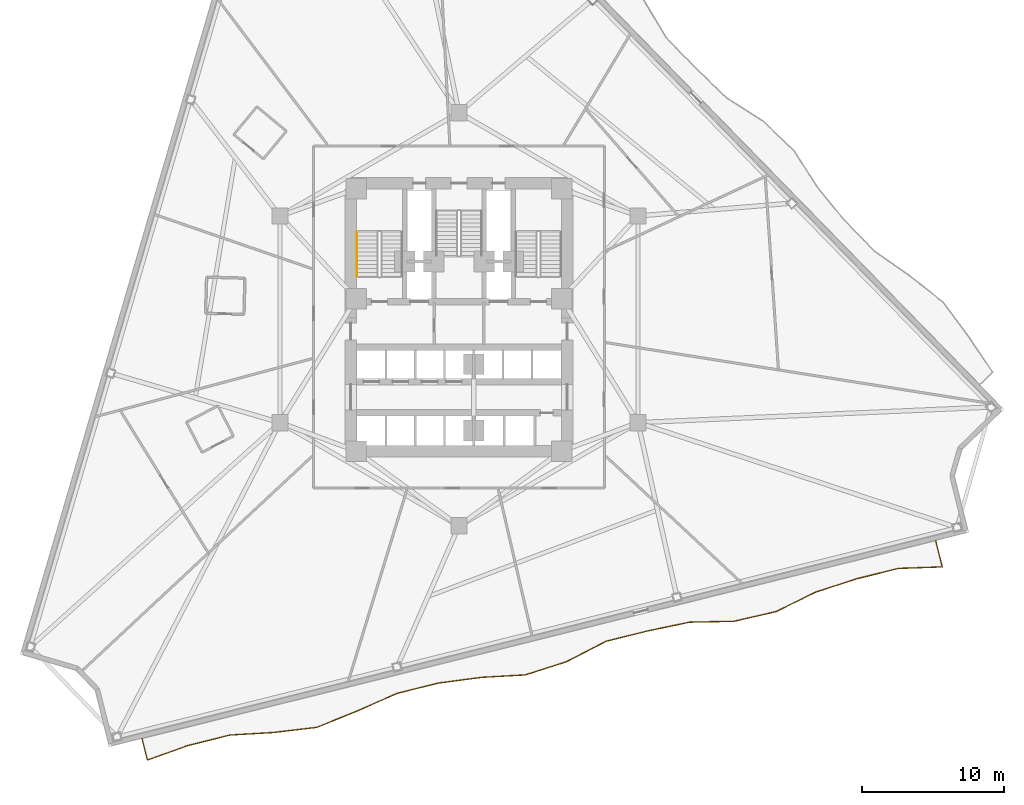
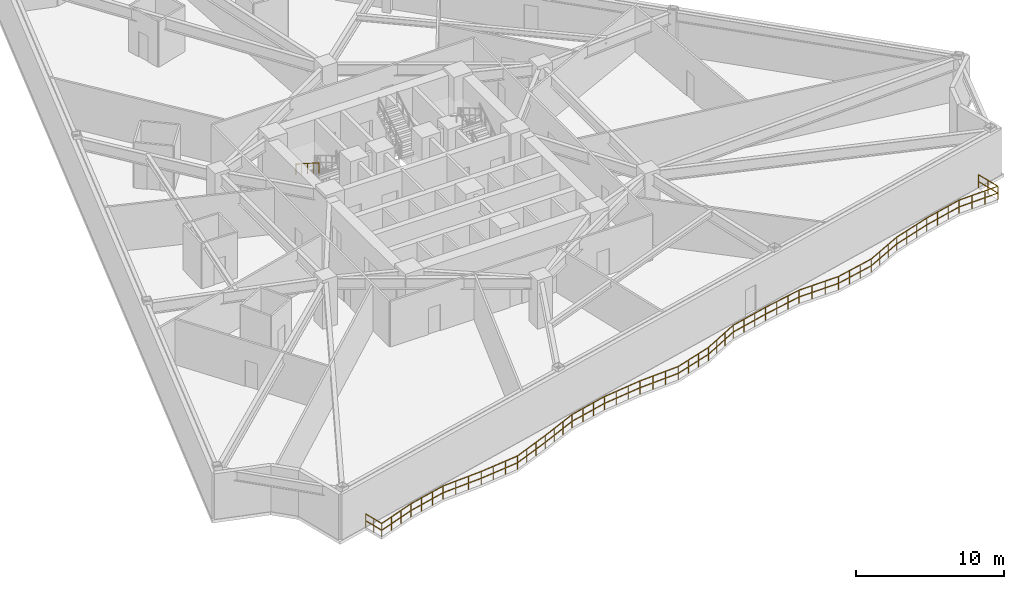
# One storey, part 7 of 9: 2 railings.
"""IFC4 building model written with IfcOpenShell, lengths in metres."""

from ifc_helpers import new_model, si_unit, direction, frame, origin, origin_2d, place, context, subcontext, project, spatial, rectangle, extrude, material, type_object, element, save


model = new_model("IFC4")

# Units and contexts
model_context = context("Model", 3, precision=1e-05, world=origin(), true_north=direction((0.0, 1.0)))
body_context = subcontext(model_context, "Body", "Model", "MODEL_VIEW")
ifc_project = project(units=[si_unit("LENGTHUNIT", "METRE"), si_unit("AREAUNIT", "SQUARE_METRE"), si_unit("VOLUMEUNIT", "CUBIC_METRE"), si_unit("PLANEANGLEUNIT", "RADIAN"), si_unit("MASSUNIT", "GRAM", prefix="KILO")], contexts=[model_context])

# Site, building, storey
site_placement = place(None, origin())
site = spatial("IfcSite", under=ifc_project, at=site_placement, CompositionType="ELEMENT")
building_placement = place(site_placement, origin())
building = spatial("IfcBuilding", under=site, at=building_placement, Name="Apsidion Concourse Tower", CompositionType="ELEMENT")
storey_placement = place(building_placement, frame((0.0, 0.0, 111.0)))
storey = spatial("IfcBuildingStorey", under=building, at=storey_placement, Name="L25", CompositionType="ELEMENT", Elevation=111.0)

# Railings
ifc_material = material(Name="Brushed stainless steel 316", Category="steel")
railing_type_1 = type_object("IfcRailingType", Name="RL-BAL-1120", PredefinedType="BALUSTRADE", material=ifc_material)
railing_1_placement = place(storey_placement, frame((33.4599609375, -15.544677734375, 0.0)))
element("IfcRailing", 1, at=railing_1_placement, inside=storey, type_object=railing_type_1, Name="L25 Face 2 Rippling Balcony Balustrade", PredefinedType="BALUSTRADE", context=body_context, shape_type="SweptSolid", body=[
    extrude(rectangle(XDim=0.048095703125, YDim=0.048095703125, at=origin_2d()), frame((0.0, 0.0, 1.09619140625), z_axis=(0.241837181231, -0.970316844012, 0.0), x_axis=(0.970316844012, 0.241837181231, 0.0)), (0.0, 0.0, 1.0), 1.891845703125),
    extrude(rectangle(XDim=0.048095703125, YDim=0.048095703125, at=origin_2d()), frame((0.0, 0.0, 0.5361328125), z_axis=(0.241837181231, -0.970316844012, 0.0), x_axis=(0.970316844012, 0.241837181231, 0.0)), (0.0, 0.0, 1.0), 1.891845703125),
    extrude(rectangle(XDim=0.048095703125, YDim=0.048095703125, at=origin_2d()), frame((0.45751953125, -1.835693359375, 1.09619140625), z_axis=(-0.999386887403, -0.035012130575, 0.0), x_axis=(0.035012130575, -0.999386887403, 0.0)), (0.0, 0.0, 1.0), 3.089111328125),
    extrude(rectangle(XDim=0.048095703125, YDim=0.048095703125, at=origin_2d()), frame((0.45751953125, -1.835693359375, 0.5361328125), z_axis=(-0.999386887403, -0.035012130575, 0.0), x_axis=(0.035012130575, -0.999386887403, 0.0)), (0.0, 0.0, 1.0), 3.089111328125),
    extrude(rectangle(XDim=0.048095703125, YDim=0.048095703125, at=origin_2d()), frame((-2.629638671875, -1.94384765625, 1.09619140625), z_axis=(-0.970294411014, -0.241927170767, 0.0), x_axis=(0.241927170767, -0.970294411014, 0.0)), (0.0, 0.0, 1.0), 3.021484375),
    extrude(rectangle(XDim=0.048095703125, YDim=0.048095703125, at=origin_2d()), frame((-2.629638671875, -1.94384765625, 0.5361328125), z_axis=(-0.970294411014, -0.241927170767, 0.0), x_axis=(0.241927170767, -0.970294411014, 0.0)), (0.0, 0.0, 1.0), 3.021484375),
    extrude(rectangle(XDim=0.048095703125, YDim=0.048095703125, at=origin_2d()), frame((-5.561279296875, -2.6748046875, 1.09619140625), z_axis=(-0.95100267118, -0.309182663501, 0.0), x_axis=(0.309182663501, -0.95100267118, 0.0)), (0.0, 0.0, 1.0), 3.029052734375),
    extrude(rectangle(XDim=0.048095703125, YDim=0.048095703125, at=origin_2d()), frame((-5.561279296875, -2.6748046875, 0.5361328125), z_axis=(-0.95100267118, -0.309182663501, 0.0), x_axis=(0.309182663501, -0.95100267118, 0.0)), (0.0, 0.0, 1.0), 3.029052734375),
    extrude(rectangle(XDim=0.048095703125, YDim=0.048095703125, at=origin_2d()), frame((-8.44189453125, -3.611328125, 1.09619140625), z_axis=(-0.897392517166, -0.441233124475, 0.0), x_axis=(0.441233124475, -0.897392517166, 0.0)), (0.0, 0.0, 1.0), 3.09130859375),
    extrude(rectangle(XDim=0.048095703125, YDim=0.048095703125, at=origin_2d()), frame((-8.44189453125, -3.611328125, 0.5361328125), z_axis=(-0.897392517166, -0.441233124475, 0.0), x_axis=(0.441233124475, -0.897392517166, 0.0)), (0.0, 0.0, 1.0), 3.09130859375),
    extrude(rectangle(XDim=0.048095703125, YDim=0.048095703125, at=origin_2d()), frame((-11.216064453125, -4.975341796875, 1.09619140625), z_axis=(-0.974418419162, -0.224741505729, 0.0), x_axis=(0.224741505729, -0.974418419162, 0.0)), (0.0, 0.0, 1.0), 3.022216796875),
    extrude(rectangle(XDim=0.048095703125, YDim=0.048095703125, at=origin_2d()), frame((-11.216064453125, -4.975341796875, 0.5361328125), z_axis=(-0.974418419162, -0.224741505729, 0.0), x_axis=(0.224741505729, -0.974418419162, 0.0)), (0.0, 0.0, 1.0), 3.022216796875),
    extrude(rectangle(XDim=0.048095703125, YDim=0.048095703125, at=origin_2d()), frame((-14.160888671875, -5.654541015625, 1.09619140625), z_axis=(-0.999815314694, -0.019218129572, 0.0), x_axis=(0.019218129572, -0.999815314694, 0.0)), (0.0, 0.0, 1.0), 3.099609375),
    extrude(rectangle(XDim=0.048095703125, YDim=0.048095703125, at=origin_2d()), frame((-14.160888671875, -5.654541015625, 0.5361328125), z_axis=(-0.999815314694, -0.019218129572, 0.0), x_axis=(0.019218129572, -0.999815314694, 0.0)), (0.0, 0.0, 1.0), 3.099609375),
    extrude(rectangle(XDim=0.048095703125, YDim=0.048095703125, at=origin_2d()), frame((-17.260009765625, -5.714111328125, 1.09619140625), z_axis=(-0.979052226337, -0.203609278042, 0.0), x_axis=(0.203609278042, -0.979052226337, 0.0)), (0.0, 0.0, 1.0), 3.02392578125),
    extrude(rectangle(XDim=0.048095703125, YDim=0.048095703125, at=origin_2d()), frame((-17.260009765625, -5.714111328125, 0.5361328125), z_axis=(-0.979052226337, -0.203609278042, 0.0), x_axis=(0.203609278042, -0.979052226337, 0.0)), (0.0, 0.0, 1.0), 3.02392578125),
    extrude(rectangle(XDim=0.048095703125, YDim=0.048095703125, at=origin_2d()), frame((-20.220703125, -6.329833984375, 1.09619140625), z_axis=(-0.970299139815, -0.241908204231, 0.0), x_axis=(0.241908204231, -0.970299139815, 0.0)), (0.0, 0.0, 1.0), 3.021728515625),
    extrude(rectangle(XDim=0.048095703125, YDim=0.048095703125, at=origin_2d()), frame((-20.220703125, -6.329833984375, 0.5361328125), z_axis=(-0.970299139815, -0.241908204231, 0.0), x_axis=(0.241908204231, -0.970299139815, 0.0)), (0.0, 0.0, 1.0), 3.021728515625),
    extrude(rectangle(XDim=0.048095703125, YDim=0.048095703125, at=origin_2d()), frame((-23.152587890625, -7.060791015625, 1.09619140625), z_axis=(-0.887937661522, -0.459963812979, 0.0), x_axis=(0.459963812979, -0.887937661522, 0.0)), (0.0, 0.0, 1.0), 3.106201171875),
    extrude(rectangle(XDim=0.048095703125, YDim=0.048095703125, at=origin_2d()), frame((-23.152587890625, -7.060791015625, 0.5361328125), z_axis=(-0.887937661522, -0.459963812979, 0.0), x_axis=(0.459963812979, -0.887937661522, 0.0)), (0.0, 0.0, 1.0), 3.106201171875),
    extrude(rectangle(XDim=0.048095703125, YDim=0.048095703125, at=origin_2d()), frame((-25.91064453125, -8.489501953125, 1.09619140625), z_axis=(-0.952326741727, -0.305079951803, 0.0), x_axis=(0.305079951803, -0.952326741727, 0.0)), (0.0, 0.0, 1.0), 3.028076171875),
    extrude(rectangle(XDim=0.048095703125, YDim=0.048095703125, at=origin_2d()), frame((-25.91064453125, -8.489501953125, 0.5361328125), z_axis=(-0.952326741727, -0.305079951803, 0.0), x_axis=(0.305079951803, -0.952326741727, 0.0)), (0.0, 0.0, 1.0), 3.028076171875),
    extrude(rectangle(XDim=0.048095703125, YDim=0.048095703125, at=origin_2d()), frame((-28.79443359375, -9.413330078125, 1.09619140625), z_axis=(-0.998392451448, -0.056679033977, 0.0), x_axis=(0.056679033977, -0.998392451448, 0.0)), (0.0, 0.0, 1.0), 3.075439453125),
    extrude(rectangle(XDim=0.048095703125, YDim=0.048095703125, at=origin_2d()), frame((-28.79443359375, -9.413330078125, 0.5361328125), z_axis=(-0.998392451448, -0.056679033977, 0.0), x_axis=(0.056679033977, -0.998392451448, 0.0)), (0.0, 0.0, 1.0), 3.075439453125),
    extrude(rectangle(XDim=0.048095703125, YDim=0.048095703125, at=origin_2d()), frame((-31.864990234375, -9.587646484375, 1.09619140625), z_axis=(-0.99144390916, -0.130533424801, 0.0), x_axis=(0.130533424801, -0.99144390916, 0.0)), (0.0, 0.0, 1.0), 3.041259765625),
    extrude(rectangle(XDim=0.048095703125, YDim=0.048095703125, at=origin_2d()), frame((-31.864990234375, -9.587646484375, 0.5361328125), z_axis=(-0.99144390916, -0.130533424801, 0.0), x_axis=(0.130533424801, -0.99144390916, 0.0)), (0.0, 0.0, 1.0), 3.041259765625),
    extrude(rectangle(XDim=0.048095703125, YDim=0.048095703125, at=origin_2d()), frame((-34.880126953125, -9.984619140625, 1.09619140625), z_axis=(-0.970280172108, -0.241984271418, 0.0), x_axis=(0.241984271418, -0.970280172108, 0.0)), (0.0, 0.0, 1.0), 3.021728515625),
    extrude(rectangle(XDim=0.048095703125, YDim=0.048095703125, at=origin_2d()), frame((-34.880126953125, -9.984619140625, 0.5361328125), z_axis=(-0.970280172108, -0.241984271418, 0.0), x_axis=(0.241984271418, -0.970280172108, 0.0)), (0.0, 0.0, 1.0), 3.021728515625),
    extrude(rectangle(XDim=0.048095703125, YDim=0.048095703125, at=origin_2d()), frame((-37.81201171875, -10.7158203125, 1.09619140625), z_axis=(-0.914833030282, -0.403832300225, 0.0), x_axis=(0.403832300225, -0.914833030282, 0.0)), (0.0, 0.0, 1.0), 3.06640625),
    extrude(rectangle(XDim=0.048095703125, YDim=0.048095703125, at=origin_2d()), frame((-37.81201171875, -10.7158203125, 0.5361328125), z_axis=(-0.914833030282, -0.403832300225, 0.0), x_axis=(0.403832300225, -0.914833030282, 0.0)), (0.0, 0.0, 1.0), 3.06640625),
    extrude(rectangle(XDim=0.048095703125, YDim=0.048095703125, at=origin_2d()), frame((-40.6171875, -11.9541015625, 1.09619140625), z_axis=(-0.926946150786, -0.375194394337, 0.0), x_axis=(0.375194394337, -0.926946150786, 0.0)), (0.0, 0.0, 1.0), 3.0517578125),
    extrude(rectangle(XDim=0.048095703125, YDim=0.048095703125, at=origin_2d()), frame((-40.6171875, -11.9541015625, 0.5361328125), z_axis=(-0.926946150786, -0.375194394337, 0.0), x_axis=(0.375194394337, -0.926946150786, 0.0)), (0.0, 0.0, 1.0), 3.0517578125),
    extrude(rectangle(XDim=0.048095703125, YDim=0.048095703125, at=origin_2d()), frame((-43.446044921875, -13.09912109375, 1.09619140625), z_axis=(-0.993120481496, -0.117097007785, 0.0), x_axis=(0.117097007785, -0.993120481496, 0.0)), (0.0, 0.0, 1.0), 3.046142578125),
    extrude(rectangle(XDim=0.048095703125, YDim=0.048095703125, at=origin_2d()), frame((-43.446044921875, -13.09912109375, 0.5361328125), z_axis=(-0.993120481496, -0.117097007785, 0.0), x_axis=(0.117097007785, -0.993120481496, 0.0)), (0.0, 0.0, 1.0), 3.046142578125),
    extrude(rectangle(XDim=0.048095703125, YDim=0.048095703125, at=origin_2d()), frame((-46.47119140625, -13.455810546875, 1.09619140625), z_axis=(-0.998209970067, -0.059806819499, 0.0), x_axis=(0.059806819499, -0.998209970067, 0.0)), (0.0, 0.0, 1.0), 3.073974609375),
    extrude(rectangle(XDim=0.048095703125, YDim=0.048095703125, at=origin_2d()), frame((-46.47119140625, -13.455810546875, 0.5361328125), z_axis=(-0.998209970067, -0.059806819499, 0.0), x_axis=(0.059806819499, -0.998209970067, 0.0)), (0.0, 0.0, 1.0), 3.073974609375),
    extrude(rectangle(XDim=0.048095703125, YDim=0.048095703125, at=origin_2d()), frame((-49.53955078125, -13.6396484375, 1.09619140625), z_axis=(-0.970294411014, -0.241927170767, 0.0), x_axis=(0.241927170767, -0.970294411014, 0.0)), (0.0, 0.0, 1.0), 3.021484375),
    extrude(rectangle(XDim=0.048095703125, YDim=0.048095703125, at=origin_2d()), frame((-49.53955078125, -13.6396484375, 0.5361328125), z_axis=(-0.970294411014, -0.241927170767, 0.0), x_axis=(0.241927170767, -0.970294411014, 0.0)), (0.0, 0.0, 1.0), 3.021484375),
    extrude(rectangle(XDim=0.048095703125, YDim=0.048095703125, at=origin_2d()), frame((-52.47119140625, -14.37060546875, 1.09619140625), z_axis=(-0.941636363947, -0.33663178414, 0.0), x_axis=(0.33663178414, -0.941636363947, 0.0)), (0.0, 0.0, 1.0), 3.03662109375),
    extrude(rectangle(XDim=0.048095703125, YDim=0.048095703125, at=origin_2d()), frame((-52.47119140625, -14.37060546875, 0.5361328125), z_axis=(-0.941636363947, -0.33663178414, 0.0), x_axis=(0.33663178414, -0.941636363947, 0.0)), (0.0, 0.0, 1.0), 3.03662109375),
    extrude(rectangle(XDim=0.048095703125, YDim=0.048095703125, at=origin_2d()), frame((-55.33056640625, -15.392822265625, 1.09619140625), z_axis=(-0.2419425832, 0.970290568044, 0.0), x_axis=(-0.970290568044, -0.2419425832, 0.0)), (0.0, 0.0, 1.0), 1.550048828125),
    extrude(rectangle(XDim=0.048095703125, YDim=0.048095703125, at=origin_2d()), frame((-55.33056640625, -15.392822265625, 0.5361328125), z_axis=(-0.2419425832, 0.970290568044, 0.0), x_axis=(-0.970290568044, -0.2419425832, 0.0)), (0.0, 0.0, 1.0), 1.550048828125),
    extrude(rectangle(XDim=0.0419921875, YDim=0.0419921875, at=origin_2d()), origin(), (0.0, 0.0, 1.0), 1.072021484375),
    extrude(rectangle(XDim=0.0419921875, YDim=0.0419921875, at=origin_2d()), frame((0.228759765625, -0.91796875, 0.0)), (0.0, 0.0, 1.0), 1.072021484375),
    extrude(rectangle(XDim=0.0419921875, YDim=0.0419921875, at=origin_2d()), frame((0.45751953125, -1.835693359375, 0.0)), (0.0, 0.0, 1.0), 1.072021484375),
    extrude(rectangle(XDim=0.0419921875, YDim=0.0419921875, at=origin_2d()), frame((-0.571533203125, -1.871826171875, 0.0)), (0.0, 0.0, 1.0), 1.072021484375),
    extrude(rectangle(XDim=0.0419921875, YDim=0.0419921875, at=origin_2d()), frame((-1.6005859375, -1.90771484375, 0.0)), (0.0, 0.0, 1.0), 1.072021484375),
    extrude(rectangle(XDim=0.0419921875, YDim=0.0419921875, at=origin_2d()), frame((-2.629638671875, -1.94384765625, 0.0)), (0.0, 0.0, 1.0), 1.072021484375),
    extrude(rectangle(XDim=0.0419921875, YDim=0.0419921875, at=origin_2d()), frame((-3.60693359375, -2.1875, 0.0)), (0.0, 0.0, 1.0), 1.072021484375),
    extrude(rectangle(XDim=0.0419921875, YDim=0.0419921875, at=origin_2d()), frame((-4.583984375, -2.43115234375, 0.0)), (0.0, 0.0, 1.0), 1.072021484375),
    extrude(rectangle(XDim=0.0419921875, YDim=0.0419921875, at=origin_2d()), frame((-5.561279296875, -2.6748046875, 0.0)), (0.0, 0.0, 1.0), 1.072021484375),
    extrude(rectangle(XDim=0.0419921875, YDim=0.0419921875, at=origin_2d()), frame((-6.521484375, -2.987060546875, 0.0)), (0.0, 0.0, 1.0), 1.072021484375),
    extrude(rectangle(XDim=0.0419921875, YDim=0.0419921875, at=origin_2d()), frame((-7.481689453125, -3.299072265625, 0.0)), (0.0, 0.0, 1.0), 1.072021484375),
    extrude(rectangle(XDim=0.0419921875, YDim=0.0419921875, at=origin_2d()), frame((-8.44189453125, -3.611328125, 0.0)), (0.0, 0.0, 1.0), 1.072021484375),
    extrude(rectangle(XDim=0.0419921875, YDim=0.0419921875, at=origin_2d()), frame((-9.36669921875, -4.06591796875, 0.0)), (0.0, 0.0, 1.0), 1.072021484375),
    extrude(rectangle(XDim=0.0419921875, YDim=0.0419921875, at=origin_2d()), frame((-10.291259765625, -4.520751953125, 0.0)), (0.0, 0.0, 1.0), 1.072021484375),
    extrude(rectangle(XDim=0.0419921875, YDim=0.0419921875, at=origin_2d()), frame((-11.216064453125, -4.975341796875, 0.0)), (0.0, 0.0, 1.0), 1.072021484375),
    extrude(rectangle(XDim=0.0419921875, YDim=0.0419921875, at=origin_2d()), frame((-12.19775390625, -5.20166015625, 0.0)), (0.0, 0.0, 1.0), 1.072021484375),
    extrude(rectangle(XDim=0.0419921875, YDim=0.0419921875, at=origin_2d()), frame((-13.17919921875, -5.42822265625, 0.0)), (0.0, 0.0, 1.0), 1.072021484375),
    extrude(rectangle(XDim=0.0419921875, YDim=0.0419921875, at=origin_2d()), frame((-14.160888671875, -5.654541015625, 0.0)), (0.0, 0.0, 1.0), 1.072021484375),
    extrude(rectangle(XDim=0.0419921875, YDim=0.0419921875, at=origin_2d()), frame((-15.19384765625, -5.67431640625, 0.0)), (0.0, 0.0, 1.0), 1.072021484375),
    extrude(rectangle(XDim=0.0419921875, YDim=0.0419921875, at=origin_2d()), frame((-16.22705078125, -5.6943359375, 0.0)), (0.0, 0.0, 1.0), 1.072021484375),
    extrude(rectangle(XDim=0.0419921875, YDim=0.0419921875, at=origin_2d()), frame((-17.260009765625, -5.714111328125, 0.0)), (0.0, 0.0, 1.0), 1.072021484375),
    extrude(rectangle(XDim=0.0419921875, YDim=0.0419921875, at=origin_2d()), frame((-18.246826171875, -5.91943359375, 0.0)), (0.0, 0.0, 1.0), 1.072021484375),
    extrude(rectangle(XDim=0.0419921875, YDim=0.0419921875, at=origin_2d()), frame((-19.23388671875, -6.12451171875, 0.0)), (0.0, 0.0, 1.0), 1.072021484375),
    extrude(rectangle(XDim=0.0419921875, YDim=0.0419921875, at=origin_2d()), frame((-20.220703125, -6.329833984375, 0.0)), (0.0, 0.0, 1.0), 1.072021484375),
    extrude(rectangle(XDim=0.0419921875, YDim=0.0419921875, at=origin_2d()), frame((-21.197998046875, -6.573486328125, 0.0)), (0.0, 0.0, 1.0), 1.072021484375),
    extrude(rectangle(XDim=0.0419921875, YDim=0.0419921875, at=origin_2d()), frame((-22.17529296875, -6.817138671875, 0.0)), (0.0, 0.0, 1.0), 1.072021484375),
    extrude(rectangle(XDim=0.0419921875, YDim=0.0419921875, at=origin_2d()), frame((-23.152587890625, -7.060791015625, 0.0)), (0.0, 0.0, 1.0), 1.072021484375),
    extrude(rectangle(XDim=0.0419921875, YDim=0.0419921875, at=origin_2d()), frame((-24.072021484375, -7.537109375, 0.0)), (0.0, 0.0, 1.0), 1.072021484375),
    extrude(rectangle(XDim=0.0419921875, YDim=0.0419921875, at=origin_2d()), frame((-24.9912109375, -8.01318359375, 0.0)), (0.0, 0.0, 1.0), 1.072021484375),
    extrude(rectangle(XDim=0.0419921875, YDim=0.0419921875, at=origin_2d()), frame((-25.91064453125, -8.489501953125, 0.0)), (0.0, 0.0, 1.0), 1.072021484375),
    extrude(rectangle(XDim=0.0419921875, YDim=0.0419921875, at=origin_2d()), frame((-26.871826171875, -8.79736328125, 0.0)), (0.0, 0.0, 1.0), 1.072021484375),
    extrude(rectangle(XDim=0.0419921875, YDim=0.0419921875, at=origin_2d()), frame((-27.833251953125, -9.10546875, 0.0)), (0.0, 0.0, 1.0), 1.072021484375),
    extrude(rectangle(XDim=0.0419921875, YDim=0.0419921875, at=origin_2d()), frame((-28.79443359375, -9.413330078125, 0.0)), (0.0, 0.0, 1.0), 1.072021484375),
    extrude(rectangle(XDim=0.0419921875, YDim=0.0419921875, at=origin_2d()), frame((-29.81787109375, -9.471435546875, 0.0)), (0.0, 0.0, 1.0), 1.072021484375),
    extrude(rectangle(XDim=0.0419921875, YDim=0.0419921875, at=origin_2d()), frame((-30.841552734375, -9.529541015625, 0.0)), (0.0, 0.0, 1.0), 1.072021484375),
    extrude(rectangle(XDim=0.0419921875, YDim=0.0419921875, at=origin_2d()), frame((-31.864990234375, -9.587646484375, 0.0)), (0.0, 0.0, 1.0), 1.072021484375),
    extrude(rectangle(XDim=0.0419921875, YDim=0.0419921875, at=origin_2d()), frame((-32.8701171875, -9.719970703125, 0.0)), (0.0, 0.0, 1.0), 1.072021484375),
    extrude(rectangle(XDim=0.0419921875, YDim=0.0419921875, at=origin_2d()), frame((-33.875, -9.852294921875, 0.0)), (0.0, 0.0, 1.0), 1.072021484375),
    extrude(rectangle(XDim=0.0419921875, YDim=0.0419921875, at=origin_2d()), frame((-34.880126953125, -9.984619140625, 0.0)), (0.0, 0.0, 1.0), 1.072021484375),
    extrude(rectangle(XDim=0.0419921875, YDim=0.0419921875, at=origin_2d()), frame((-35.857421875, -10.228271484375, 0.0)), (0.0, 0.0, 1.0), 1.072021484375),
    extrude(rectangle(XDim=0.0419921875, YDim=0.0419921875, at=origin_2d()), frame((-36.834716796875, -10.47216796875, 0.0)), (0.0, 0.0, 1.0), 1.072021484375),
    extrude(rectangle(XDim=0.0419921875, YDim=0.0419921875, at=origin_2d()), frame((-37.81201171875, -10.7158203125, 0.0)), (0.0, 0.0, 1.0), 1.072021484375),
    extrude(rectangle(XDim=0.0419921875, YDim=0.0419921875, at=origin_2d()), frame((-38.7470703125, -11.128662109375, 0.0)), (0.0, 0.0, 1.0), 1.072021484375),
    extrude(rectangle(XDim=0.0419921875, YDim=0.0419921875, at=origin_2d()), frame((-39.68212890625, -11.541259765625, 0.0)), (0.0, 0.0, 1.0), 1.072021484375),
    extrude(rectangle(XDim=0.0419921875, YDim=0.0419921875, at=origin_2d()), frame((-40.6171875, -11.9541015625, 0.0)), (0.0, 0.0, 1.0), 1.072021484375),
    extrude(rectangle(XDim=0.0419921875, YDim=0.0419921875, at=origin_2d()), frame((-41.56005859375, -12.335693359375, 0.0)), (0.0, 0.0, 1.0), 1.072021484375),
    extrude(rectangle(XDim=0.0419921875, YDim=0.0419921875, at=origin_2d()), frame((-42.503173828125, -12.717529296875, 0.0)), (0.0, 0.0, 1.0), 1.072021484375),
    extrude(rectangle(XDim=0.0419921875, YDim=0.0419921875, at=origin_2d()), frame((-43.446044921875, -13.09912109375, 0.0)), (0.0, 0.0, 1.0), 1.072021484375),
    extrude(rectangle(XDim=0.0419921875, YDim=0.0419921875, at=origin_2d()), frame((-44.454345703125, -13.218017578125, 0.0)), (0.0, 0.0, 1.0), 1.072021484375),
    extrude(rectangle(XDim=0.0419921875, YDim=0.0419921875, at=origin_2d()), frame((-45.462890625, -13.3369140625, 0.0)), (0.0, 0.0, 1.0), 1.072021484375),
    extrude(rectangle(XDim=0.0419921875, YDim=0.0419921875, at=origin_2d()), frame((-46.47119140625, -13.455810546875, 0.0)), (0.0, 0.0, 1.0), 1.072021484375),
    extrude(rectangle(XDim=0.0419921875, YDim=0.0419921875, at=origin_2d()), frame((-47.493896484375, -13.51708984375, 0.0)), (0.0, 0.0, 1.0), 1.072021484375),
    extrude(rectangle(XDim=0.0419921875, YDim=0.0419921875, at=origin_2d()), frame((-48.516845703125, -13.578369140625, 0.0)), (0.0, 0.0, 1.0), 1.072021484375),
    extrude(rectangle(XDim=0.0419921875, YDim=0.0419921875, at=origin_2d()), frame((-49.53955078125, -13.6396484375, 0.0)), (0.0, 0.0, 1.0), 1.072021484375),
    extrude(rectangle(XDim=0.0419921875, YDim=0.0419921875, at=origin_2d()), frame((-50.516845703125, -13.88330078125, 0.0)), (0.0, 0.0, 1.0), 1.072021484375),
    extrude(rectangle(XDim=0.0419921875, YDim=0.0419921875, at=origin_2d()), frame((-51.493896484375, -14.126953125, 0.0)), (0.0, 0.0, 1.0), 1.072021484375),
    extrude(rectangle(XDim=0.0419921875, YDim=0.0419921875, at=origin_2d()), frame((-52.47119140625, -14.37060546875, 0.0)), (0.0, 0.0, 1.0), 1.072021484375),
    extrude(rectangle(XDim=0.0419921875, YDim=0.0419921875, at=origin_2d()), frame((-53.42431640625, -14.71142578125, 0.0)), (0.0, 0.0, 1.0), 1.072021484375),
    extrude(rectangle(XDim=0.0419921875, YDim=0.0419921875, at=origin_2d()), frame((-54.37744140625, -15.052001953125, 0.0)), (0.0, 0.0, 1.0), 1.072021484375),
    extrude(rectangle(XDim=0.0419921875, YDim=0.0419921875, at=origin_2d()), frame((-55.33056640625, -15.392822265625, 0.0)), (0.0, 0.0, 1.0), 1.072021484375),
    extrude(rectangle(XDim=0.0419921875, YDim=0.0419921875, at=origin_2d()), frame((-55.51806640625, -14.640869140625, 0.0)), (0.0, 0.0, 1.0), 1.072021484375),
    extrude(rectangle(XDim=0.0419921875, YDim=0.0419921875, at=origin_2d()), frame((-55.70556640625, -13.888916015625, 0.0)), (0.0, 0.0, 1.0), 1.072021484375),
])
railing_type_2 = type_object("IfcRailingType", Name="RL-HAND-900", PredefinedType="HANDRAIL", material=ifc_material)
railing_2_placement = place(storey_placement, frame((-7.14990234375, 6.135009765625, 2.166748046875)))
element("IfcRailing", 2, at=railing_2_placement, inside=storey, type_object=railing_type_2, Name="L25 ST1 stair handrail 2", PredefinedType="HANDRAIL", context=body_context, shape_type="SweptSolid", body=[
    extrude(rectangle(XDim=0.048095703125, YDim=0.048095703125, at=origin_2d()), frame((0.0, 0.0, 0.8759765625), z_axis=(0.0, -0.843052688722, 0.537830980921), x_axis=(1.0, 0.0, 0.0)), (0.0, 0.0, 1.0), 3.71875),
    extrude(rectangle(XDim=0.0419921875, YDim=0.0419921875, at=origin_2d()), origin(), (0.0, 0.0, 1.0), 0.851806640625),
    extrude(rectangle(XDim=0.0419921875, YDim=0.0419921875, at=origin_2d()), frame((0.0, -0.78369140625, 0.5)), (0.0, 0.0, 1.0), 0.851806640625),
    extrude(rectangle(XDim=0.0419921875, YDim=0.0419921875, at=origin_2d()), frame((0.0, -1.5673828125, 1.0)), (0.0, 0.0, 1.0), 0.851806640625),
    extrude(rectangle(XDim=0.0419921875, YDim=0.0419921875, at=origin_2d()), frame((0.0, -2.351318359375, 1.5)), (0.0, 0.0, 1.0), 0.851806640625),
    extrude(rectangle(XDim=0.0419921875, YDim=0.0419921875, at=origin_2d()), frame((0.0, -3.135009765625, 2.0)), (0.0, 0.0, 1.0), 0.851806640625),
])

save(model, "model.ifc")
